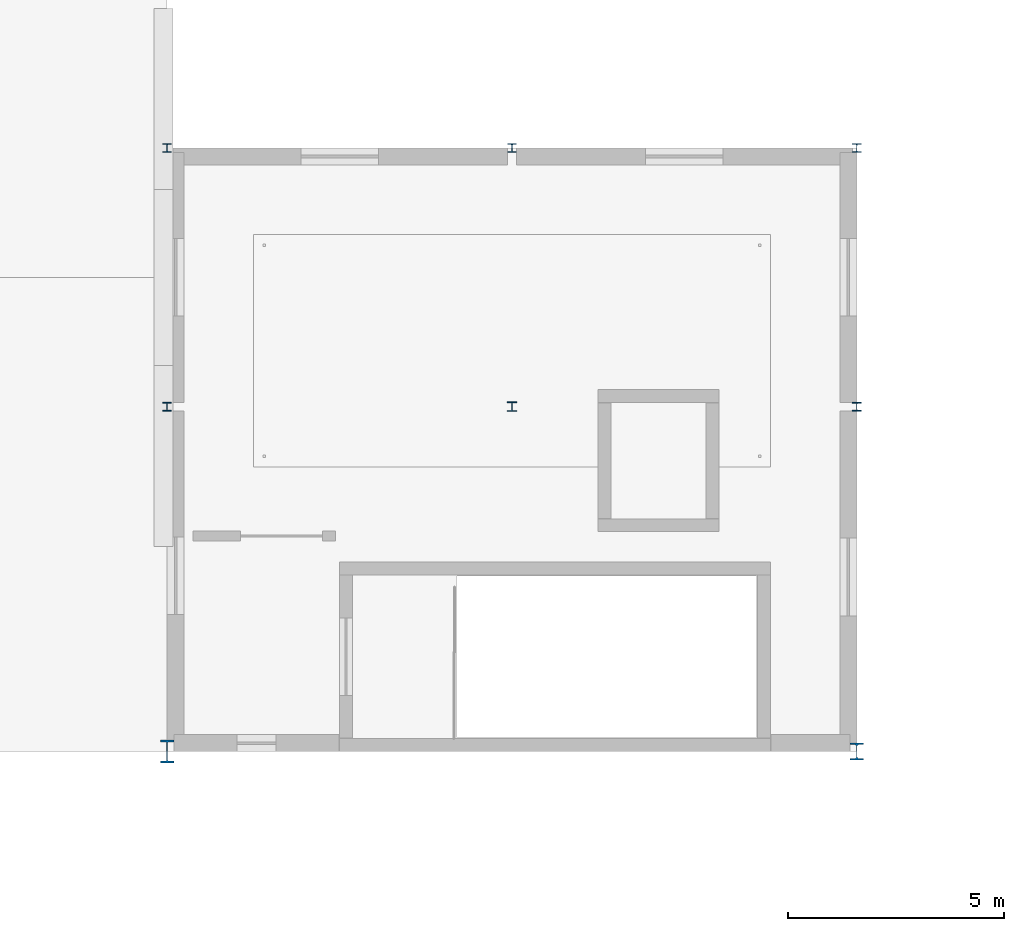
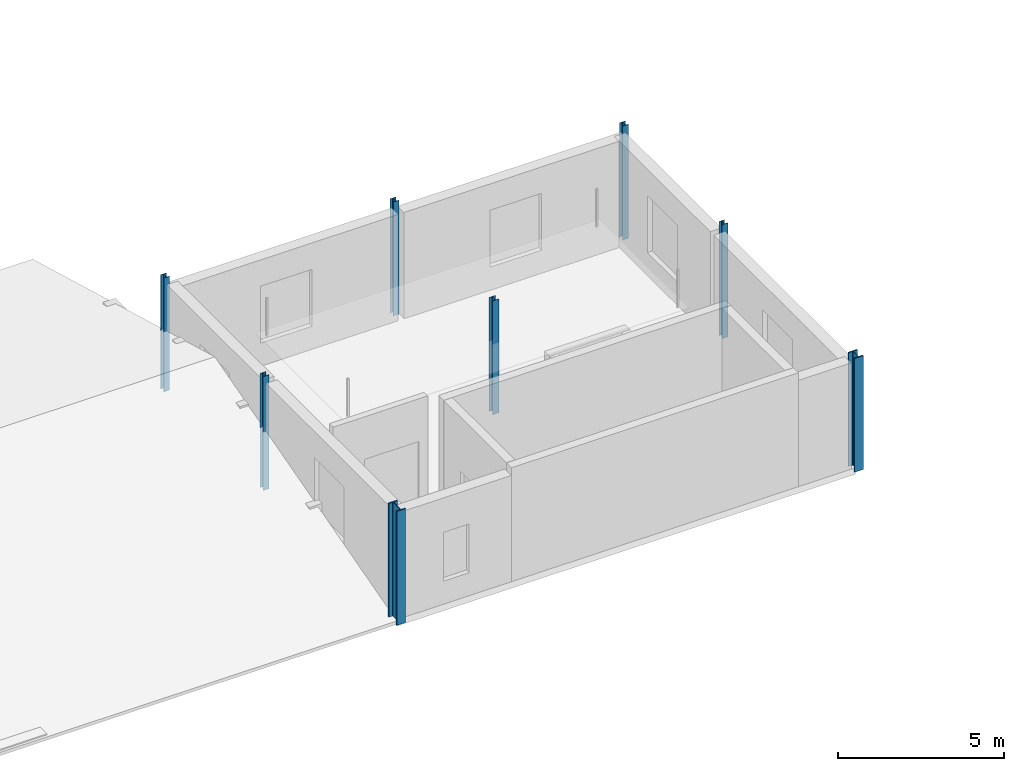
# One storey, part 1 of 67: 8 columns.
"""IFC4 building model written with IfcOpenShell, lengths in metres."""

from ifc_helpers import new_model, si_unit, direction, frame, origin, origin_2d, place, context, subcontext, project, spatial, i_section, extrude, material, material_profile, profile_set, type_object, element, save


model = new_model("IFC4")

# Units and contexts
model_context = context("Model", 3, precision=1e-05, world=origin(), true_north=direction((0.0, 1.0)))
body_context = subcontext(model_context, "Body", "Model", "MODEL_VIEW")
ifc_project = project(units=[si_unit("LENGTHUNIT", "METRE"), si_unit("AREAUNIT", "SQUARE_METRE"), si_unit("VOLUMEUNIT", "CUBIC_METRE"), si_unit("PLANEANGLEUNIT", "RADIAN"), si_unit("MASSUNIT", "GRAM", prefix="KILO")], contexts=[model_context])

# Site, building, storey
site_placement = place(None, origin())
site = spatial("IfcSite", under=ifc_project, at=site_placement, CompositionType="ELEMENT")
building_placement = place(site_placement, origin())
building = spatial("IfcBuilding", under=site, at=building_placement, Name="Sundkrona Museum", CompositionType="ELEMENT")
storey_placement = place(building_placement, frame((0.0, 0.0, 21.800048828125)))
storey = spatial("IfcBuildingStorey", under=building, at=storey_placement, Name="L04", CompositionType="ELEMENT", Elevation=21.800048828125)

# Columns
ifc_material_1 = material(Name="Steel S355J2", Category="steel")
ifc_material_profile_1 = material_profile(ifc_material_1, i_section(OverallWidth=0.199951171875, OverallDepth=0.199951171875, WebThickness=0.009033203125, FlangeThickness=0.014892578125, FilletRadius=0.01806640625, at=origin_2d()), Name="HEB 200")
ifc_profile_set_1 = profile_set([ifc_material_profile_1], Name="Steel S355J2")
column_type_1 = type_object("IfcColumnType", Name="C-HEB200", PredefinedType="COLUMN", material=ifc_profile_set_1)
for number, where, z_axis, x_axis, name in (
    (1, (24.0, 40.0, 0.0), (0.0, 0.0, 1.0), (1.0, 0.0, 0.0), "L04 Column F/4"),
    (2, (24.0, 46.0, 0.0), (0.0, 0.0, 1.0), (1.0, 0.0, 0.0), "L04 Column G/4"),
    (3, (32.0, 46.0, 0.0), (0.0, 0.0, 1.0), (1.0, 0.0, 0.0), "L04 Column G/5"),
    (4, (40.0, 40.0, 0.0), (0.0, 0.0, 1.0), (1.0, 0.0, 0.0), "L04 Column F/6"),
    (5, (40.0, 46.0, 0.0), (0.0, 0.0, 1.0), (1.0, 0.0, 0.0), "L04 Column G/6"),
):
    element("IfcColumn", number, at=place(storey_placement, frame(where, z_axis=z_axis, x_axis=x_axis)), inside=storey, type_object=column_type_1, Name=name, PredefinedType="COLUMN", context=body_context, shape_type="SweptSolid", body=[
        extrude(i_section(OverallWidth=0.199951171875, OverallDepth=0.199951171875, WebThickness=0.009033203125, FlangeThickness=0.014892578125, FilletRadius=0.01806640625, at=origin_2d()), origin(), (0.0, 0.0, 1.0), 4.199951171875),
    ])
ifc_material_profile_2 = material_profile(ifc_material_1, i_section(OverallWidth=0.219970703125, OverallDepth=0.219970703125, WebThickness=0.009521484375, FlangeThickness=0.01611328125, FilletRadius=0.01806640625, at=origin_2d()), Name="HEB 220")
ifc_profile_set_2 = profile_set([ifc_material_profile_2], Name="Steel S355J2")
column_type_2 = type_object("IfcColumnType", Name="C-HEB220", PredefinedType="COLUMN", material=ifc_profile_set_2)
column_1_placement = place(storey_placement, frame((32.0, 40.0, 0.0), z_axis=(0.0, 0.0, 1.0), x_axis=(1.0, 0.0, 0.0)))
element("IfcColumn", 6, at=column_1_placement, inside=storey, type_object=column_type_2, Name="L04 Column F/5", PredefinedType="COLUMN", context=body_context, shape_type="SweptSolid", body=[
    extrude(i_section(OverallWidth=0.219970703125, OverallDepth=0.219970703125, WebThickness=0.009521484375, FlangeThickness=0.01611328125, FilletRadius=0.01806640625, at=origin_2d()), origin(), (0.0, 0.0, 1.0), 4.199951171875),
])
ifc_material_2 = material(Name="Steel S460M", Category="steel")
ifc_material_profile_3 = material_profile(ifc_material_2, i_section(OverallWidth=0.30810546875, OverallDepth=0.39501953125, WebThickness=0.02099609375, FlangeThickness=0.0400390625, FilletRadius=0.027099609375, at=origin_2d()), Name="HEM 360")
ifc_profile_set_3 = profile_set([ifc_material_profile_3], Name="Steel S460M")
column_type_3 = type_object("IfcColumnType", Name="C-HEM360", PredefinedType="COLUMN", material=ifc_profile_set_3)
column_2_placement = place(storey_placement, frame((40.0, 32.0, 0.0), z_axis=(0.0, 0.0, 1.0), x_axis=(1.0, 0.0, 0.0)))
element("IfcColumn", 7, at=column_2_placement, inside=storey, type_object=column_type_3, Name="L04 Column E/6", PredefinedType="COLUMN", context=body_context, shape_type="SweptSolid", body=[
    extrude(i_section(OverallWidth=0.30810546875, OverallDepth=0.39501953125, WebThickness=0.02099609375, FlangeThickness=0.0400390625, FilletRadius=0.027099609375, at=origin_2d()), origin(), (0.0, 0.0, 1.0), 4.199951171875),
])
ifc_material_profile_4 = material_profile(ifc_material_2, i_section(OverallWidth=0.305908203125, OverallDepth=0.52392578125, WebThickness=0.02099609375, FlangeThickness=0.0400390625, FilletRadius=0.027099609375, at=origin_2d()), Name="HEM 500")
ifc_profile_set_4 = profile_set([ifc_material_profile_4], Name="Steel S460M")
column_type_4 = type_object("IfcColumnType", Name="C-HEM500", PredefinedType="COLUMN", material=ifc_profile_set_4)
column_3_placement = place(storey_placement, frame((24.0, 32.0, 0.0), z_axis=(0.0, 0.0, 1.0), x_axis=(1.0, 0.0, 0.0)))
element("IfcColumn", 8, at=column_3_placement, inside=storey, type_object=column_type_4, Name="L04 Column E/4", PredefinedType="COLUMN", context=body_context, shape_type="SweptSolid", body=[
    extrude(i_section(OverallWidth=0.305908203125, OverallDepth=0.52392578125, WebThickness=0.02099609375, FlangeThickness=0.0400390625, FilletRadius=0.027099609375, at=origin_2d()), origin(), (0.0, 0.0, 1.0), 4.199951171875),
])

save(model, "model.ifc")
